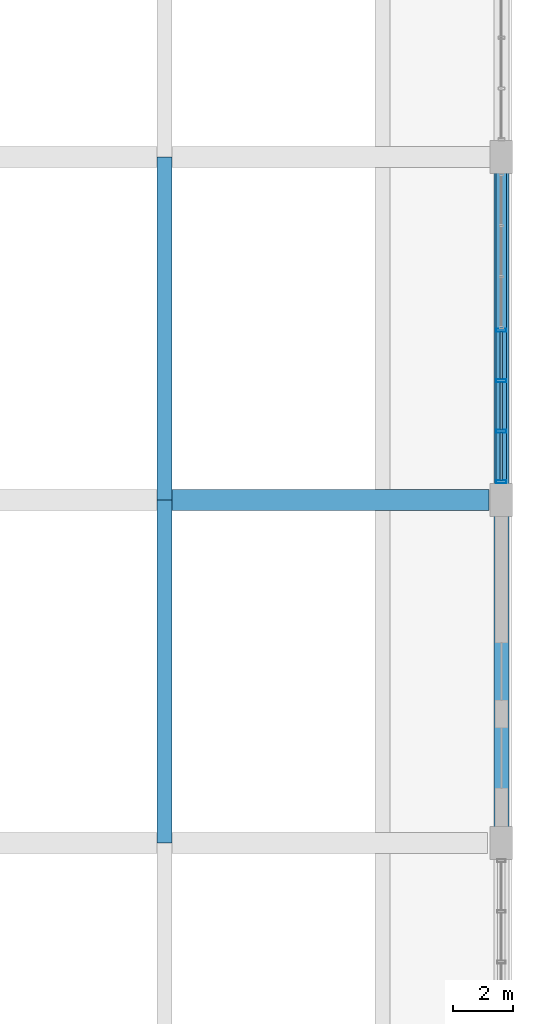
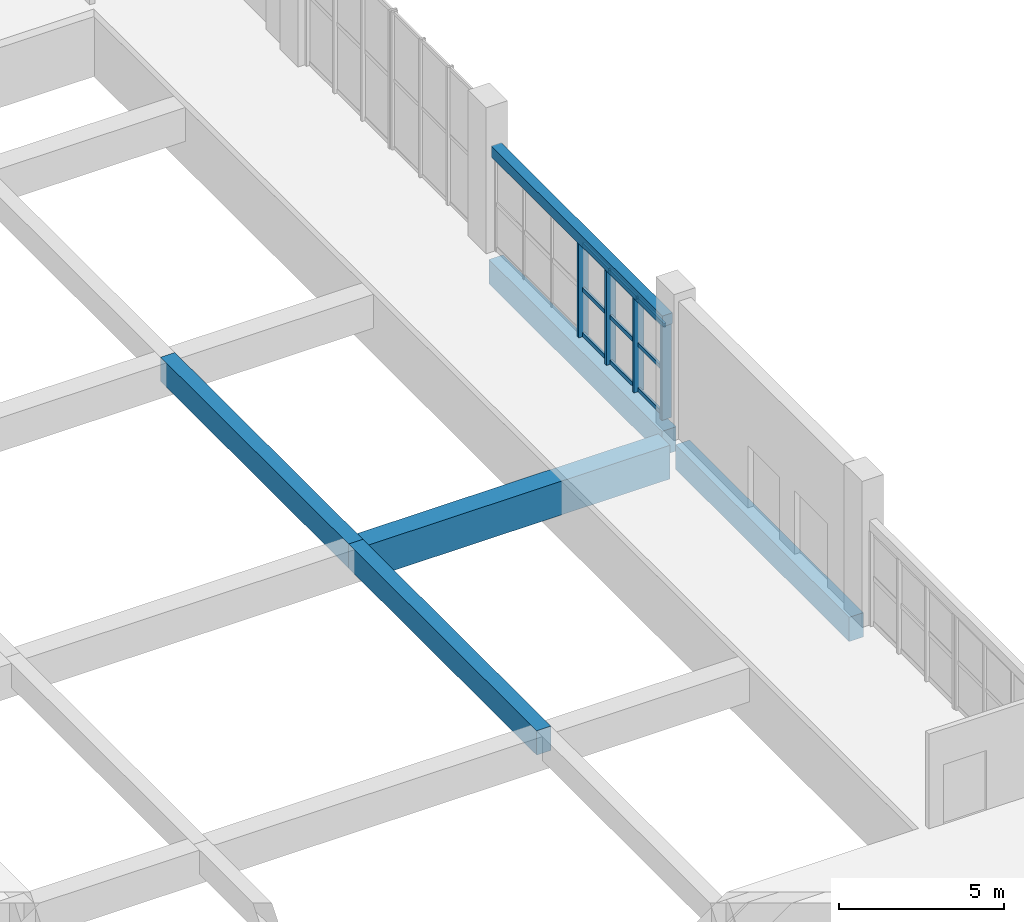
# One storey, part 63 of 113: 13 members, 6 beams, 1 element without a shape of its own.
"""IFC4 building model written with IfcOpenShell, lengths in metres."""

from ifc_helpers import new_model, si_unit, direction, frame, origin, origin_2d, place, context, subcontext, project, spatial, rectangle, hollow_rectangle, extrude, material, layer, layer_set, material_profile, profile_set, type_object, element, aggregate, save


model = new_model("IFC4")

# Units and contexts
model_context = context("Model", 3, precision=1e-05, world=origin(), true_north=direction((0.0, 1.0)))
body_context = subcontext(model_context, "Body", "Model", "MODEL_VIEW")
ifc_project = project(units=[si_unit("LENGTHUNIT", "METRE"), si_unit("AREAUNIT", "SQUARE_METRE"), si_unit("VOLUMEUNIT", "CUBIC_METRE"), si_unit("PLANEANGLEUNIT", "RADIAN"), si_unit("MASSUNIT", "GRAM", prefix="KILO"), si_unit("POWERUNIT", "WATT"), si_unit("THERMODYNAMICTEMPERATUREUNIT", "KELVIN")], contexts=[model_context])

# Site, building, storey
site_placement = place(None, origin())
site = spatial("IfcSite", under=ifc_project, at=site_placement, CompositionType="ELEMENT")
building_placement = place(site_placement, origin())
building = spatial("IfcBuilding", under=site, at=building_placement, Name="Kelmbourne Parkland Aquatics Centre", CompositionType="ELEMENT")
storey_placement = place(building_placement, origin())
storey = spatial("IfcBuildingStorey", under=building, at=storey_placement, Name="L00", CompositionType="ELEMENT", Elevation=0.0)

# Beams
ifc_material_1 = material(Name="Concrete C40/50", Category="concrete")
ifc_material_profile_1 = material_profile(ifc_material_1, rectangle(XDim=0.5, YDim=0.89990234375, at=origin_2d()), Name="RC 500x900")
ifc_profile_set_1 = profile_set([ifc_material_profile_1], Name="Concrete C40/50")
beam_type_1 = type_object("IfcBeamType", Name="BM-G03", PredefinedType="BEAM", material=ifc_profile_set_1)
beam_1_placement = place(storey_placement, frame((164.0, 46.39990234375, -0.72998046875), z_axis=(0.0, 1.0, 0.0), x_axis=(-1.0, 0.0, 0.0)))
element("IfcBeam", 1, at=beam_1_placement, inside=storey, type_object=beam_type_1, Name="Primary girder 06-08 Grid S (L00)", PredefinedType="BEAM", context=body_context, shape_type="SweptSolid", body=[
    extrude(rectangle(XDim=0.5, YDim=0.89990234375, at=origin_2d()), origin(), (0.0, 0.0, 1.0), 11.400146484375),
])
beam_2_placement = place(storey_placement, frame((164.0, 57.800048828125, -0.72998046875), z_axis=(0.0, 1.0, 0.0), x_axis=(-1.0, 0.0, 0.0)))
element("IfcBeam", 2, at=beam_2_placement, inside=storey, type_object=beam_type_1, Name="Primary girder 08-10 Grid S (L00)", PredefinedType="BEAM", context=body_context, shape_type="SweptSolid", body=[
    extrude(rectangle(XDim=0.5, YDim=0.89990234375, at=origin_2d()), origin(), (0.0, 0.0, 1.0), 11.39990234375),
])
beam_3_placement = place(storey_placement, frame((175.199951171875, 46.85498046875, -0.72998046875), z_axis=(0.0, 1.0, 0.0), x_axis=(-1.0, 0.0, 0.0)))
element("IfcBeam", 3, at=beam_3_placement, inside=storey, type_object=beam_type_1, Name="Primary girder 06-08 Grid T (L00)", PredefinedType="BEAM", context=body_context, shape_type="SweptSolid", body=[
    extrude(rectangle(XDim=0.5, YDim=0.89990234375, at=origin_2d()), origin(), (0.0, 0.0, 1.0), 10.5400390625),
])
beam_4_placement = place(storey_placement, frame((175.199951171875, 58.205078125, -0.72998046875), z_axis=(0.0, 1.0, 0.0), x_axis=(-1.0, 0.0, 0.0)))
element("IfcBeam", 4, at=beam_4_placement, inside=storey, type_object=beam_type_1, Name="Primary girder 08-10 Grid T (L00)", PredefinedType="BEAM", context=body_context, shape_type="SweptSolid", body=[
    extrude(rectangle(XDim=0.5, YDim=0.89990234375, at=origin_2d()), origin(), (0.0, 0.0, 1.0), 10.489990234375),
])
ifc_material_2 = material(Name="Concrete C50/60", Category="concrete")
ifc_material_profile_2 = material_profile(ifc_material_2, rectangle(XDim=0.699951171875, YDim=1.25, at=origin_2d()), Name="RC 700x1250")
ifc_profile_set_2 = profile_set([ifc_material_profile_2], Name="Concrete C50/60")
beam_type_2 = type_object("IfcBeamType", Name="BM-G08", PredefinedType="BEAM", material=ifc_profile_set_2)
beam_5_placement = place(storey_placement, frame((164.0, 57.800048828125, -0.905029296875), z_axis=(1.0, 0.0, 0.0), x_axis=(0.0, 1.0, 0.0)))
element("IfcBeam", 5, at=beam_5_placement, inside=storey, type_object=beam_type_2, Name="Primary girder S-T Grid 08 (L00)", PredefinedType="BEAM", context=body_context, shape_type="SweptSolid", body=[
    extrude(rectangle(XDim=0.699951171875, YDim=1.25, at=origin_2d()), origin(), (0.0, 0.0, 1.0), 10.794921875),
])
ifc_material_3 = material(Name="Structural steel AS/NZS 3679.1 Grade 300", Category="steel")
ifc_material_profile_3 = material_profile(ifc_material_3, rectangle(XDim=0.35009765625, YDim=0.39990234375, at=origin_2d()), Name="LNT 350x400")
ifc_profile_set_3 = profile_set([ifc_material_profile_3], Name="Structural steel AS/NZS 3679.1 Grade 300")
beam_type_3 = type_object("IfcBeamType", Name="BM-LN02", PredefinedType="LINTEL", material=ifc_profile_set_3)
beam_6_placement = place(storey_placement, frame((175.199951171875, 58.304931640625, 3.699951171875), z_axis=(0.0, 1.0, 0.0), x_axis=(-1.0, 0.0, 0.0)))
element("IfcBeam", 6, at=beam_6_placement, inside=storey, type_object=beam_type_3, Name="Masonry opening lintel E-07", PredefinedType="LINTEL", context=body_context, shape_type="SweptSolid", body=[
    extrude(rectangle(XDim=0.35009765625, YDim=0.39990234375, at=origin_2d()), origin(), (0.0, 0.0, 1.0), 10.39013671875),
])

# Curtain wall, members
ifc_material_4 = material(Name="Thermally broken anodised aluminium framing", Category="aluminium")
ifc_layer = layer(ifc_material_4, 0.179931640625)
ifc_layer_set = layer_set([ifc_layer], Name="Thermally broken anodised aluminium framing")
curtain_wall_type = type_object("IfcCurtainWallType", Name="CW-01", PredefinedType="NOTDEFINED", material=ifc_layer_set)
curtain_wall_placement = place(storey_placement, origin())
curtain_wall = element("IfcCurtainWall", 7, at=curtain_wall_placement, inside=storey, type_object=curtain_wall_type, Name="Facade curtain wall CW-L00-049", PredefinedType="NOTDEFINED")
ifc_material_profile_4 = material_profile(ifc_material_4, hollow_rectangle(XDim=0.10498046875, YDim=0.340087890625, WallThickness=0.006103515625, at=origin_2d()), Name="CW-M 105x340")
ifc_profile_set_4 = profile_set([ifc_material_profile_4], Name="Thermally broken anodised aluminium framing")
member_type_1 = type_object("IfcMemberType", Name="MB-MUL-5", PredefinedType="MULLION", material=ifc_profile_set_4)
member_1_placement = place(storey_placement, frame((175.199951171875, 58.404541015625, 0.0), z_axis=(0.0, 0.0, 1.0), x_axis=(0.0, 1.0, 0.0)))
member_1 = element("IfcMember", 8, at=member_1_placement, type_object=member_type_1, Name="CW-L00-049 mullion 0", PredefinedType="MULLION", context=body_context, shape_type="SweptSolid", body=[
    extrude(hollow_rectangle(XDim=0.10498046875, YDim=0.340087890625, WallThickness=0.006103515625, at=origin_2d()), origin(), (0.0, 0.0, 1.0), 3.485107421875),
])
member_2_placement = place(storey_placement, frame((175.199951171875, 60.08544921875, 0.0), z_axis=(0.0, 0.0, 1.0), x_axis=(0.0, 1.0, 0.0)))
member_2 = element("IfcMember", 9, at=member_2_placement, type_object=member_type_1, Name="CW-L00-049 mullion 1", PredefinedType="MULLION", context=body_context, shape_type="SweptSolid", body=[
    extrude(hollow_rectangle(XDim=0.10498046875, YDim=0.340087890625, WallThickness=0.006103515625, at=origin_2d()), origin(), (0.0, 0.0, 1.0), 3.485107421875),
])
member_3_placement = place(storey_placement, frame((175.199951171875, 61.7666015625, 0.0), z_axis=(0.0, 0.0, 1.0), x_axis=(0.0, 1.0, 0.0)))
member_3 = element("IfcMember", 10, at=member_3_placement, type_object=member_type_1, Name="CW-L00-049 mullion 2", PredefinedType="MULLION", context=body_context, shape_type="SweptSolid", body=[
    extrude(hollow_rectangle(XDim=0.10498046875, YDim=0.340087890625, WallThickness=0.006103515625, at=origin_2d()), origin(), (0.0, 0.0, 1.0), 3.485107421875),
])
member_4_placement = place(storey_placement, frame((175.199951171875, 63.447509765625, 0.0), z_axis=(0.0, 0.0, 1.0), x_axis=(0.0, 1.0, 0.0)))
member_4 = element("IfcMember", 11, at=member_4_placement, type_object=member_type_1, Name="CW-L00-049 mullion 3", PredefinedType="MULLION", context=body_context, shape_type="SweptSolid", body=[
    extrude(hollow_rectangle(XDim=0.10498046875, YDim=0.340087890625, WallThickness=0.006103515625, at=origin_2d()), origin(), (0.0, 0.0, 1.0), 3.485107421875),
])
ifc_material_profile_5 = material_profile(ifc_material_4, hollow_rectangle(XDim=0.074951171875, YDim=0.14990234375, WallThickness=0.00390625, at=origin_2d()), Name="CW-T 75x150")
ifc_profile_set_5 = profile_set([ifc_material_profile_5], Name="Thermally broken anodised aluminium framing")
member_type_2 = type_object("IfcMemberType", Name="MB-TRN-2", PredefinedType="USERDEFINED", material=ifc_profile_set_5)
member_5_placement = place(storey_placement, frame((175.199951171875, 58.452880859375, 0.077880859375), z_axis=(0.0, 1.0, 0.0), x_axis=(-1.0, 0.0, 0.0)))
member_5 = element("IfcMember", 12, at=member_5_placement, type_object=member_type_2, Name="CW-L00-049 transom 0-0", ObjectType="TRANSOM", PredefinedType="USERDEFINED", context=body_context, shape_type="SweptSolid", body=[
    extrude(hollow_rectangle(XDim=0.074951171875, YDim=0.14990234375, WallThickness=0.00390625, at=origin_2d()), origin(), (0.0, 0.0, 1.0), 1.584228515625),
])
member_6_placement = place(storey_placement, frame((175.199951171875, 60.134033203125, 0.077880859375), z_axis=(0.0, 1.0, 0.0), x_axis=(-1.0, 0.0, 0.0)))
member_6 = element("IfcMember", 13, at=member_6_placement, type_object=member_type_2, Name="CW-L00-049 transom 0-1", ObjectType="TRANSOM", PredefinedType="USERDEFINED", context=body_context, shape_type="SweptSolid", body=[
    extrude(hollow_rectangle(XDim=0.074951171875, YDim=0.14990234375, WallThickness=0.00390625, at=origin_2d()), origin(), (0.0, 0.0, 1.0), 1.583984375),
])
member_7_placement = place(storey_placement, frame((175.199951171875, 61.81494140625, 0.077880859375), z_axis=(0.0, 1.0, 0.0), x_axis=(-1.0, 0.0, 0.0)))
member_7 = element("IfcMember", 14, at=member_7_placement, type_object=member_type_2, Name="CW-L00-049 transom 0-2", ObjectType="TRANSOM", PredefinedType="USERDEFINED", context=body_context, shape_type="SweptSolid", body=[
    extrude(hollow_rectangle(XDim=0.074951171875, YDim=0.14990234375, WallThickness=0.00390625, at=origin_2d()), origin(), (0.0, 0.0, 1.0), 1.583984375),
])
member_8_placement = place(storey_placement, frame((175.199951171875, 58.452880859375, 1.742431640625), z_axis=(0.0, 1.0, 0.0), x_axis=(-1.0, 0.0, 0.0)))
member_8 = element("IfcMember", 15, at=member_8_placement, type_object=member_type_2, Name="CW-L00-049 transom 1-0", ObjectType="TRANSOM", PredefinedType="USERDEFINED", context=body_context, shape_type="SweptSolid", body=[
    extrude(hollow_rectangle(XDim=0.074951171875, YDim=0.14990234375, WallThickness=0.00390625, at=origin_2d()), origin(), (0.0, 0.0, 1.0), 1.584228515625),
])
member_9_placement = place(storey_placement, frame((175.199951171875, 60.134033203125, 1.742431640625), z_axis=(0.0, 1.0, 0.0), x_axis=(-1.0, 0.0, 0.0)))
member_9 = element("IfcMember", 16, at=member_9_placement, type_object=member_type_2, Name="CW-L00-049 transom 1-1", ObjectType="TRANSOM", PredefinedType="USERDEFINED", context=body_context, shape_type="SweptSolid", body=[
    extrude(hollow_rectangle(XDim=0.074951171875, YDim=0.14990234375, WallThickness=0.00390625, at=origin_2d()), origin(), (0.0, 0.0, 1.0), 1.583984375),
])
member_10_placement = place(storey_placement, frame((175.199951171875, 61.81494140625, 1.742431640625), z_axis=(0.0, 1.0, 0.0), x_axis=(-1.0, 0.0, 0.0)))
member_10 = element("IfcMember", 17, at=member_10_placement, type_object=member_type_2, Name="CW-L00-049 transom 1-2", ObjectType="TRANSOM", PredefinedType="USERDEFINED", context=body_context, shape_type="SweptSolid", body=[
    extrude(hollow_rectangle(XDim=0.074951171875, YDim=0.14990234375, WallThickness=0.00390625, at=origin_2d()), origin(), (0.0, 0.0, 1.0), 1.583984375),
])
member_11_placement = place(storey_placement, frame((175.199951171875, 58.452880859375, 3.406982421875), z_axis=(0.0, 1.0, 0.0), x_axis=(-1.0, 0.0, 0.0)))
member_11 = element("IfcMember", 18, at=member_11_placement, type_object=member_type_2, Name="CW-L00-049 transom 2-0", ObjectType="TRANSOM", PredefinedType="USERDEFINED", context=body_context, shape_type="SweptSolid", body=[
    extrude(hollow_rectangle(XDim=0.074951171875, YDim=0.14990234375, WallThickness=0.00390625, at=origin_2d()), origin(), (0.0, 0.0, 1.0), 1.584228515625),
])
member_12_placement = place(storey_placement, frame((175.199951171875, 60.134033203125, 3.406982421875), z_axis=(0.0, 1.0, 0.0), x_axis=(-1.0, 0.0, 0.0)))
member_12 = element("IfcMember", 19, at=member_12_placement, type_object=member_type_2, Name="CW-L00-049 transom 2-1", ObjectType="TRANSOM", PredefinedType="USERDEFINED", context=body_context, shape_type="SweptSolid", body=[
    extrude(hollow_rectangle(XDim=0.074951171875, YDim=0.14990234375, WallThickness=0.00390625, at=origin_2d()), origin(), (0.0, 0.0, 1.0), 1.583984375),
])
member_13_placement = place(storey_placement, frame((175.199951171875, 61.81494140625, 3.406982421875), z_axis=(0.0, 1.0, 0.0), x_axis=(-1.0, 0.0, 0.0)))
member_13 = element("IfcMember", 20, at=member_13_placement, type_object=member_type_2, Name="CW-L00-049 transom 2-2", ObjectType="TRANSOM", PredefinedType="USERDEFINED", context=body_context, shape_type="SweptSolid", body=[
    extrude(hollow_rectangle(XDim=0.074951171875, YDim=0.14990234375, WallThickness=0.00390625, at=origin_2d()), origin(), (0.0, 0.0, 1.0), 1.583984375),
])
aggregate(curtain_wall, [member_1, member_2, member_3, member_4, member_5, member_6, member_7, member_8, member_9, member_10, member_11, member_12, member_13])

save(model, "model.ifc")
